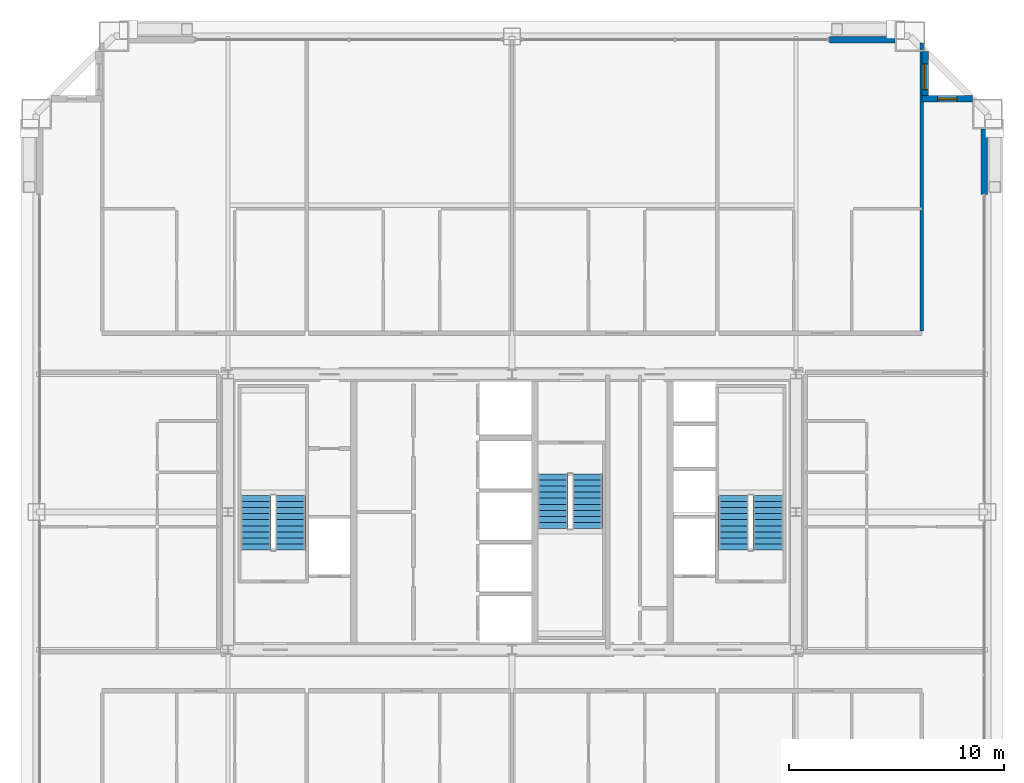
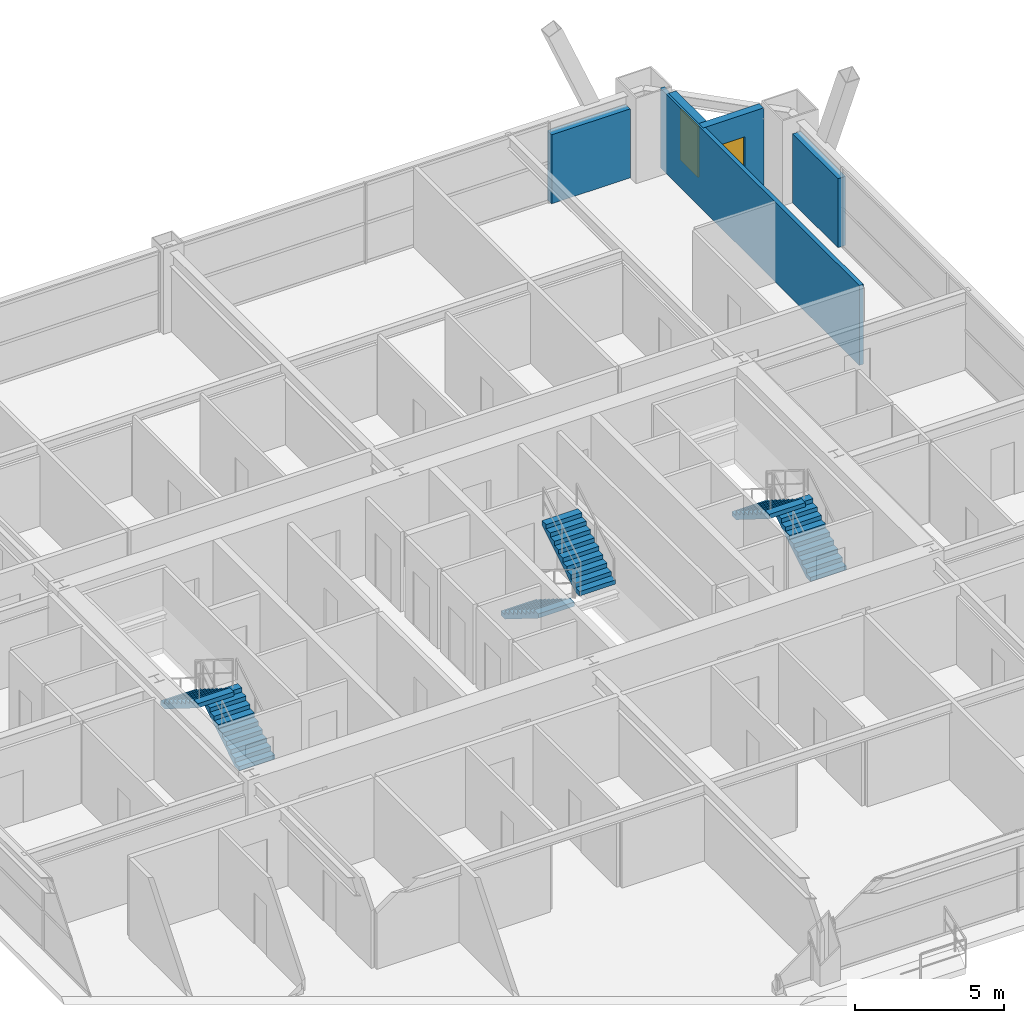
# One storey, part 41 of 42: 6 stair flights, 5 walls, 2 windows, 2 openings, 3 elements without a shape of their own.
"""IFC4 building model written with IfcOpenShell, lengths in metres."""

import ifcopenshell
import ifcopenshell.guid

model = None  # the IFC model being written
_history = None  # IfcOwnerHistory: only IFC2X3 demands one
_inside = {}  # id of a spatial element -> (the spatial element, [elements in it])
_under = {}  # id of a project, library or spatial element -> (it, [spatial elements below it])
_declared = {}  # id of a project -> (the project, [libraries it declares])
_typed = {}  # id of a type object -> (the type object, [elements of that type])
_made_of = {}  # id of a material, layer set ... -> (it, [elements and type objects made of it])


def new_model(schema):
    """Start an empty IFC model of exactly this schema.

    Asked for "IFC4X3", IfcOpenShell would pick the latest addendum, in which some entities
    have other attributes; the version numbers below select the first issue.
    IFC2X3 requires an IfcOwnerHistory on every rooted entity: one is made here for all.
    """
    global model, _history
    if schema == "IFC4X3":
        model = ifcopenshell.file(schema_version=(4, 3, 0, 0))
    else:
        model = ifcopenshell.file(schema=schema)
    _inside.clear()
    _under.clear()
    _declared.clear()
    _typed.clear()
    _made_of.clear()
    _history = None
    if model.schema == "IFC2X3":
        org = make("IfcOrganization", Name="unknown")
        user = make(
            "IfcPersonAndOrganization",
            ThePerson=make("IfcPerson", FamilyName="unknown"),
            TheOrganization=org,
        )
        app = make(
            "IfcApplication",
            ApplicationDeveloper=org,
            Version="unknown",
            ApplicationFullName="unknown",
            ApplicationIdentifier="unknown",
        )
        _history = make(
            "IfcOwnerHistory",
            OwningUser=user,
            OwningApplication=app,
            ChangeAction="ADDED",
            CreationDate=0,
        )
    return model


def make(cls, **values):
    """One entity of the class cls with the attributes given. An attribute that is None is left unset."""
    return model.create_entity(
        cls, **{name: value for name, value in values.items() if value is not None}
    )


def rooted(cls, **values):
    """An entity with a GlobalId (a new one), such as an element, a storey or a relation."""
    return make(cls, GlobalId=ifcopenshell.guid.new(), OwnerHistory=_history, **values)


def si_unit(unit_type, name, prefix=None):
    """IfcSIUnit, for example si_unit("LENGTHUNIT", "METRE", prefix="MILLI")."""
    return make("IfcSIUnit", UnitType=unit_type, Prefix=prefix, Name=name)


def assignment(units):
    """IfcUnitAssignment: the units of a project."""
    return None if units is None else make("IfcUnitAssignment", Units=units)


def point(xyz):
    """IfcCartesianPoint."""
    return None if xyz is None else make("IfcCartesianPoint", Coordinates=xyz)


def direction(xyz):
    """IfcDirection."""
    return None if xyz is None else make("IfcDirection", DirectionRatios=xyz)


def frame(location, z_axis=None, x_axis=None):
    """IfcAxis2Placement3D, a coordinate frame: its origin and axes. An axis left out is left unset."""
    return make(
        "IfcAxis2Placement3D",
        Location=point(location),
        Axis=direction(z_axis),
        RefDirection=direction(x_axis),
    )


def frame_2d(location, x_axis=None):
    """IfcAxis2Placement2D, a coordinate frame in the plane: its origin and x axis."""
    return make(
        "IfcAxis2Placement2D", Location=point(location), RefDirection=direction(x_axis)
    )


def origin():
    """The frame at (0, 0, 0) with its axes left unset."""
    return frame((0.0, 0.0, 0.0))


def place(relative_to, where):
    """IfcLocalPlacement: puts the frame where relative to a parent placement (None: the world)."""
    return make(
        "IfcLocalPlacement", PlacementRelTo=relative_to, RelativePlacement=where
    )


def context(
    kind, dimensions, precision=None, world=None, true_north=None, identifier=None
):
    """IfcGeometricRepresentationContext, for example the 3D "Model" context."""
    return make(
        "IfcGeometricRepresentationContext",
        ContextIdentifier=identifier,
        ContextType=kind,
        CoordinateSpaceDimension=dimensions,
        Precision=precision,
        WorldCoordinateSystem=world,
        TrueNorth=true_north,
    )


def subcontext(parent, identifier, kind, view, scale=None):
    """IfcGeometricRepresentationSubContext, for example "Body" below "Model"."""
    return make(
        "IfcGeometricRepresentationSubContext",
        ContextIdentifier=identifier,
        ContextType=kind,
        ParentContext=parent,
        TargetScale=scale,
        TargetView=view,
    )


def project(units=None, contexts=None):
    """IfcProject with its units and contexts."""
    return rooted(
        "IfcProject",
        Name="project",
        RepresentationContexts=contexts,
        UnitsInContext=assignment(units),
    )


def spatial(cls, under=None, at=None, **own):
    """A site, building, storey or space (cls), placed at a placement, below another one or the project."""
    s = rooted(cls, ObjectPlacement=at, **own)
    if under is not None:
        _under.setdefault(under.id(), (under, []))[1].append(s)
    return s


def polyline(points):
    """IfcPolyline through the points."""
    return make("IfcPolyline", Points=[point(p) for p in points])


def profile(cls, at=None, kind="AREA", **sizes):
    """A parametric profile (cls). Its sizes go by their IFC names, for example OverallWidth=200.0."""
    return make(cls, ProfileType=kind, Position=at, **sizes)


def rectangle(**sizes):
    """IfcRectangleProfileDef."""
    return profile("IfcRectangleProfileDef", **sizes)


def outline(outer, holes=None, kind="AREA"):
    """IfcArbitraryClosedProfileDef: a profile drawn as a closed curve; with holes, ...WithVoids."""
    if holes is None:
        return make("IfcArbitraryClosedProfileDef", ProfileType=kind, OuterCurve=outer)
    return make(
        "IfcArbitraryProfileDefWithVoids",
        ProfileType=kind,
        OuterCurve=outer,
        InnerCurves=holes,
    )


def extrude(swept, where, along, depth):
    """IfcExtrudedAreaSolid: the profile swept, set in the frame where, extruded along a direction by depth."""
    return make(
        "IfcExtrudedAreaSolid",
        SweptArea=swept,
        Position=where,
        ExtrudedDirection=direction(along),
        Depth=depth,
    )


def shape(context_of_items, identifier, shape_type, items):
    """IfcShapeRepresentation: the items that make up one representation, for example the "Body"."""
    return make(
        "IfcShapeRepresentation",
        ContextOfItems=context_of_items,
        RepresentationIdentifier=identifier,
        RepresentationType=shape_type,
        Items=items,
    )


def source(mapping_origin, context_of_items, identifier, shape_type, items):
    """IfcRepresentationMap: a shape defined once, which mapped items show again and again."""
    return make(
        "IfcRepresentationMap",
        MappingOrigin=mapping_origin,
        MappedRepresentation=shape(context_of_items, identifier, shape_type, items),
    )


def transform(
    local_origin,
    x_axis=None,
    y_axis=None,
    z_axis=None,
    scale=None,
    scale2=None,
    scale3=None,
    uniform=True,
):
    """IfcCartesianTransformationOperator3D, or its non-uniform kind. x_axis, y_axis, z_axis: its Axis1, 2, 3."""
    if uniform:
        return make(
            "IfcCartesianTransformationOperator3D",
            Axis1=direction(x_axis),
            Axis2=direction(y_axis),
            LocalOrigin=point(local_origin),
            Scale=scale,
            Axis3=direction(z_axis),
        )
    return make(
        "IfcCartesianTransformationOperator3DnonUniform",
        Axis1=direction(x_axis),
        Axis2=direction(y_axis),
        LocalOrigin=point(local_origin),
        Scale=scale,
        Axis3=direction(z_axis),
        Scale2=scale2,
        Scale3=scale3,
    )


def mapped(mapping_source, mapping_target):
    """IfcMappedItem: shows the shape of a source again, moved by a transform."""
    return make(
        "IfcMappedItem", MappingSource=mapping_source, MappingTarget=mapping_target
    )


def material(Name=None, Category=None):
    """IfcMaterial."""
    return make("IfcMaterial", Name=Name, Category=Category)


def layer(
    of_material, thickness, ventilated=None, Name=None, Category=None, Priority=None
):
    """IfcMaterialLayer: one layer of a wall or slab, of a material (None: an air gap)."""
    return make(
        "IfcMaterialLayer",
        Material=of_material,
        LayerThickness=thickness,
        IsVentilated=ventilated,
        Name=Name,
        Category=Category,
        Priority=Priority,
    )


def layer_set(layers, Name=None):
    """IfcMaterialLayerSet."""
    return make("IfcMaterialLayerSet", MaterialLayers=layers, LayerSetName=Name)


def made_of(thing, what):
    """Note that an element or type object is made of a material, layer set ...; save() writes the relation."""
    if what is not None:
        _made_of.setdefault(what.id(), (what, []))[1].append(thing)
    return thing


def type_object(cls, material=None, **own):
    """A type object (cls), such as IfcWallType, which elements share."""
    return made_of(rooted(cls, **own), material)


def element(
    cls,
    number,
    at=None,
    inside=None,
    cuts=None,
    type_object=None,
    material=None,
    context=None,
    identifier="Body",
    shape_type=None,
    held_by="IfcProductDefinitionShape",
    body=None,
    shapes=None,
    **own,
):
    """One element of the class cls, such as IfcWall. Its Tag is "e" and its number.

    at: its placement. inside: the storey or other place that contains it. cuts: it is an
    opening in that element (IfcRelVoidsElement). A single representation is given by context,
    identifier, shape_type and body (its items); several are given by shapes. held_by: the class
    of the entity that holds the representations. save() writes the other relations.
    """
    e = rooted(cls, Tag="e%d" % number, ObjectPlacement=at, **own)
    if body is not None:
        shapes = [shape(context, identifier, shape_type, body)]
    if shapes is not None:
        e.Representation = make(held_by, Representations=shapes)
    if inside is not None:
        _inside.setdefault(inside.id(), (inside, []))[1].append(e)
    if cuts is not None:
        rooted(
            "IfcRelVoidsElement", RelatingBuildingElement=cuts, RelatedOpeningElement=e
        )
    if type_object is not None:
        _typed.setdefault(type_object.id(), (type_object, []))[1].append(e)
    return made_of(e, material)


def fill(opening, filler):
    """IfcRelFillsElement: the door or window that sits in an opening."""
    return rooted(
        "IfcRelFillsElement",
        RelatingOpeningElement=opening,
        RelatedBuildingElement=filler,
    )


def aggregate(whole, parts):
    """IfcRelAggregates: a whole, such as a stair, and the parts it consists of."""
    return rooted("IfcRelAggregates", RelatingObject=whole, RelatedObjects=parts)


def save(model, path):
    """Write the relations noted so far, then the file.

    IfcRelAggregates (storeys below a building ...), IfcRelContainedInSpatialStructure (elements
    in a storey), IfcRelDefinesByType, IfcRelAssociatesMaterial and IfcRelDeclares: one each for
    every whole, place, type object, material and project.
    """
    for whole, parts in _under.values():
        aggregate(whole, parts)
    for where, things in _inside.values():
        rooted(
            "IfcRelContainedInSpatialStructure",
            RelatedElements=things,
            RelatingStructure=where,
        )
    for kind, things in _typed.values():
        rooted("IfcRelDefinesByType", RelatedObjects=things, RelatingType=kind)
    for what, things in _made_of.values():
        rooted("IfcRelAssociatesMaterial", RelatedObjects=things, RelatingMaterial=what)
    for by, libraries in _declared.values():
        rooted("IfcRelDeclares", RelatingContext=by, RelatedDefinitions=libraries)
    model.write(path)


model = new_model("IFC4")

# Units and contexts
model_context = context("Model", 3, precision=1e-05, world=origin(), true_north=direction((0.0, 1.0)))
body_context = subcontext(model_context, "Body", "Model", "MODEL_VIEW")
ifc_project = project(units=[si_unit("LENGTHUNIT", "METRE"), si_unit("AREAUNIT", "SQUARE_METRE"), si_unit("VOLUMEUNIT", "CUBIC_METRE"), si_unit("PLANEANGLEUNIT", "RADIAN"), si_unit("MASSUNIT", "GRAM", prefix="KILO"), si_unit("THERMODYNAMICTEMPERATUREUNIT", "KELVIN"), si_unit("POWERUNIT", "WATT")], contexts=[model_context])

# Site, building, storey
site_placement = place(None, origin())
site = spatial("IfcSite", under=ifc_project, at=site_placement, CompositionType="ELEMENT")
building_placement = place(site_placement, origin())
building = spatial("IfcBuilding", under=site, at=building_placement, Name="Yuzanri Waterfront Tower", CompositionType="ELEMENT")
storey_placement = place(building_placement, frame((0.0, 0.0, 184.5)))
storey = spatial("IfcBuildingStorey", under=building, at=storey_placement, Name="L48", CompositionType="ELEMENT", Elevation=184.5)

# Wall, opening, window
ifc_material_1 = material(Name="Honed Chongqing Dark Basalt Stone", Category="masonry")
ifc_layer_1 = layer(ifc_material_1, 0.300048828125)
ifc_layer_set_1 = layer_set([ifc_layer_1], Name="Honed Chongqing Dark Basalt Stone")
wall_type_1 = type_object("IfcWallType", Name="Bronze Rainscreen Insulated Spandrel Portal Wall 300", PredefinedType="SOLIDWALL", material=ifc_layer_set_1)
wall_1_placement = place(storey_placement, frame((58.39990234375, 45.0, 0.0), z_axis=(0.0, 0.0, 1.0), x_axis=(-1.0, 0.0, 0.0)))
wall_1 = element("IfcWall", 1, at=wall_1_placement, inside=storey, type_object=wall_type_1, Name="L48 Notched Corner Masonry Wall NE-X", PredefinedType="SOLIDWALL", context=body_context, shape_type="SweptSolid", body=[
    extrude(rectangle(XDim=2.349853515625, YDim=0.300048828125, at=frame_2d((1.1748046875, 0.0))), origin(), (0.0, 0.0, 1.0), 3.280029296875),
])
opening_1_placement = place(wall_1_placement, frame((0.72509765625, 0.0, 0.85009765625)))
opening_1 = element("IfcOpeningElement", 2, at=opening_1_placement, cuts=wall_1, Name="Opening WN-05", PredefinedType="OPENING", context=body_context, shape_type="SweptSolid", body=[
    extrude(rectangle(XDim=0.89990234375, YDim=1.5, at=frame_2d((0.449951171875, 0.75))), frame((0.0, 0.1650390625, 0.0), z_axis=(0.0, -1.0, 0.0), x_axis=(1.0, 0.0, 0.0)), (0.0, 0.0, 1.0), 0.329833984375),
])
ifc_material_2 = material(Name="Double-Silver Low-E Insulated Glass", Category="glass")
window_type_1 = type_object("IfcWindowType", Name="Anodized Bronze Service and Stairwell Smoke-Vent Window 900x1500", PartitioningType="SINGLE_PANEL", PredefinedType="WINDOW", material=ifc_material_2)
shared_shape_1 = source(origin(), body_context, "Body", "SweptSolid", [
    extrude(rectangle(XDim=0.89990234375, YDim=1.5, at=frame_2d((0.449951171875, 0.75))), frame((0.0, 0.030029296875, 0.0), z_axis=(0.0, -1.0, 0.0), x_axis=(1.0, 0.0, 0.0)), (0.0, 0.0, 1.0), 0.06005859375),
])
window_1_placement = place(opening_1_placement, origin())
window_1 = element("IfcWindow", 3, at=window_1_placement, inside=storey, type_object=window_type_1, Name="L48 Notched Corner Window NE-X", OverallHeight=1.5, OverallWidth=0.89990234375, PartitioningType="SINGLE_PANEL", PredefinedType="WINDOW", context=body_context, shape_type="MappedRepresentation", body=[
    mapped(shared_shape_1, transform((0.0, 0.0, 0.0), scale=1.0)),
])
fill(opening_1, window_1)

wall_2_placement = place(storey_placement, frame((56.199951171875, 44.85009765625, 0.0), z_axis=(0.0, 0.0, 1.0), x_axis=(0.0, 1.0, 0.0)))
wall_2 = element("IfcWall", 4, at=wall_2_placement, inside=storey, type_object=wall_type_1, Name="L48 Notched Corner Masonry Wall NE-Y", PredefinedType="SOLIDWALL", context=body_context, shape_type="SweptSolid", body=[
    extrude(rectangle(XDim=2.349853515625, YDim=0.300048828125, at=frame_2d((1.1748046875, 0.0))), origin(), (0.0, 0.0, 1.0), 3.280029296875),
])
opening_2_placement = place(wall_2_placement, frame((0.574951171875, 0.0, 0.85009765625)))
opening_2 = element("IfcOpeningElement", 5, at=opening_2_placement, cuts=wall_2, Name="Opening WN-02", PredefinedType="OPENING", context=body_context, shape_type="SweptSolid", body=[
    extrude(rectangle(XDim=1.199951171875, YDim=2.10009765625, at=frame_2d((0.60009765625, 1.050048828125))), frame((0.0, 0.1650390625, 0.0), z_axis=(0.0, -1.0, 0.0), x_axis=(1.0, 0.0, 0.0)), (0.0, 0.0, 1.0), 0.329833984375),
])
ifc_material_3 = material(Name="Double-Silver Low-E Insulated Glass", Category="glass")
window_type_2 = type_object("IfcWindowType", Name="Anodized Bronze Notched Corner Deep-Set Slot Window 1200x2100", PartitioningType="SINGLE_PANEL", PredefinedType="WINDOW", material=ifc_material_3)
shared_shape_2 = source(origin(), body_context, "Body", "SweptSolid", [
    extrude(rectangle(XDim=1.199951171875, YDim=2.10009765625, at=frame_2d((0.60009765625, 1.050048828125))), frame((0.0, 0.030029296875, 0.0), z_axis=(0.0, -1.0, 0.0), x_axis=(1.0, 0.0, 0.0)), (0.0, 0.0, 1.0), 0.06005859375),
])
window_2_placement = place(opening_2_placement, origin())
window_2 = element("IfcWindow", 6, at=window_2_placement, inside=storey, type_object=window_type_2, Name="L48 Notched Corner Window NE-Y", OverallHeight=2.10009765625, OverallWidth=1.199951171875, PartitioningType="SINGLE_PANEL", PredefinedType="WINDOW", context=body_context, shape_type="MappedRepresentation", body=[
    mapped(shared_shape_2, transform((0.0, 0.0, 0.0), scale=1.0)),
])
fill(opening_2, window_2)

# Walls
shared_shape_3 = source(origin(), body_context, "Body", "SweptSolid", [
    extrude(rectangle(XDim=3.050048828125, YDim=0.300048828125, at=frame_2d((1.52490234375, 0.0))), origin(), (0.0, 0.0, 1.0), 2.8349609375),
])
for number, where, z_axis, x_axis, name in (
    (7, (51.75, 47.75, 0.0), (0.0, 0.0, 1.0), (1.0, 0.0, 0.0), "L48 N Right Braced Masonry Shoulder"),
    (8, (58.949951171875, 40.550048828125, 0.0), (0.0, 0.0, 1.0), (0.0, 1.0, 0.0), "L48 E Right Braced Masonry Shoulder"),
):
    element("IfcWall", number, at=place(storey_placement, frame(where, z_axis=z_axis, x_axis=x_axis)), inside=storey, type_object=wall_type_1, Name=name, PredefinedType="SOLIDWALL", context=body_context, shape_type="MappedRepresentation", body=[
        mapped(shared_shape_3, transform((0.0, 0.0, 0.0), scale=1.0)),
    ])
ifc_material_4 = material(Name="Gypsum Fireboard Acoustic Stud Wall", Category="gypsum")
ifc_layer_2 = layer(ifc_material_4, 0.159912109375)
ifc_layer_set_2 = layer_set([ifc_layer_2], Name="Gypsum Fireboard Acoustic Stud Wall")
wall_type_2 = type_object("IfcWallType", Name="Acoustic Suite Demising Partition 160", PredefinedType="PARTITIONING", material=ifc_layer_set_2)
shared_shape_4 = source(origin(), body_context, "Body", "SweptSolid", [
    extrude(rectangle(XDim=13.39013671875, YDim=0.159912109375, at=frame_2d((6.695068359375, 0.0))), origin(), (0.0, 0.0, 1.0), 3.280029296875),
])
wall_3_placement = place(storey_placement, frame((56.050048828125, 34.2099609375, 0.0), z_axis=(0.0, 0.0, 1.0), x_axis=(0.0, 1.0, 0.0)))
element("IfcWall", 9, at=wall_3_placement, inside=storey, type_object=wall_type_2, Name="L48 North Band East End Wall", PredefinedType="PARTITIONING", context=body_context, shape_type="MappedRepresentation", body=[
    mapped(shared_shape_4, transform((0.0, 0.0, 0.0), scale=1.0)),
])

# Stair, stair flights
ifc_material_5 = material(Name="Concrete C40", Category="concrete")
stair_type = type_object("IfcStairType", Name="Concrete C40 Core Dogleg Exit Stair", PredefinedType="HALF_TURN_STAIR", material=ifc_material_5)
stair_1_placement = place(storey_placement, origin())
stair_1 = element("IfcStair", 10, at=stair_1_placement, inside=storey, type_object=stair_type, Name="L48 Smoke-Proof Core Stair ST-01", PredefinedType="HALF_TURN_STAIR")
ifc_material_6 = material(Name="Concrete C40", Category="concrete")
stair_flight_type = type_object("IfcStairFlightType", Name="Concrete C40 Precast Stair Flight 1380", PredefinedType="STRAIGHT", material=ifc_material_6)
shared_shape_5 = source(origin(), body_context, "Body", "SweptSolid", [
    extrude(outline(polyline([(0.0, 0.0), (0.0, 0.175048828125), (0.280029296875, 0.175048828125), (0.280029296875, 0.35009765625), (0.56005859375, 0.35009765625), (0.56005859375, 0.52490234375), (0.840087890625, 0.52490234375), (0.840087890625, 0.699951171875), (1.1201171875, 0.699951171875), (1.1201171875, 0.875), (1.39990234375, 0.875), (1.39990234375, 1.050048828125), (1.679931640625, 1.050048828125), (1.679931640625, 1.22509765625), (1.9599609375, 1.22509765625), (1.9599609375, 1.39990234375), (2.239990234375, 1.39990234375), (2.239990234375, 1.574951171875), (2.52001953125, 1.574951171875), (2.52001953125, 1.75), (2.52001953125, 1.398193359375), (0.28271484375, 0.0), (0.0, 0.0)])), frame((0.0, 0.699951171875, 0.0), z_axis=(0.0, -1.0, 0.0), x_axis=(1.0, 0.0, 0.0)), (0.0, 0.0, 1.0), 1.39990234375),
])
stair_flight_1_placement = place(storey_placement, frame((26.699951171875, 24.0400390625, 0.0), z_axis=(0.0, 0.0, 1.0), x_axis=(0.0, 1.0, 0.0)))
stair_flight_1 = element("IfcStairFlight", 11, at=stair_flight_1_placement, type_object=stair_flight_type, Name="ST-01 flight 1", NumberOfRisers=10, NumberOfTreads=9, PredefinedType="STRAIGHT", RiserHeight=0.175, TreadLength=0.28, context=body_context, shape_type="MappedRepresentation", body=[
    mapped(shared_shape_5, transform((0.0, 0.0, 0.0), scale=1.0)),
])
stair_flight_2_placement = place(storey_placement, frame((25.10009765625, 26.56005859375, 1.75), z_axis=(0.0, 0.0, 1.0), x_axis=(0.0, -1.0, 0.0)))
stair_flight_2 = element("IfcStairFlight", 12, at=stair_flight_2_placement, type_object=stair_flight_type, Name="ST-01 flight 2", NumberOfRisers=10, NumberOfTreads=9, PredefinedType="STRAIGHT", RiserHeight=0.175, TreadLength=0.28, context=body_context, shape_type="MappedRepresentation", body=[
    mapped(shared_shape_5, transform((0.0, 0.0, 0.0), scale=1.0)),
])
aggregate(stair_1, [stair_flight_1, stair_flight_2])

stair_2_placement = place(storey_placement, origin())
stair_2 = element("IfcStair", 13, at=stair_2_placement, inside=storey, type_object=stair_type, Name="L48 Smoke-Proof Core Stair ST-02", PredefinedType="HALF_TURN_STAIR")
stair_flight_3_placement = place(storey_placement, frame((48.89990234375, 24.0400390625, 0.0), z_axis=(0.0, 0.0, 1.0), x_axis=(0.0, 1.0, 0.0)))
stair_flight_3 = element("IfcStairFlight", 14, at=stair_flight_3_placement, type_object=stair_flight_type, Name="ST-02 flight 1", NumberOfRisers=10, NumberOfTreads=9, PredefinedType="STRAIGHT", RiserHeight=0.175, TreadLength=0.28, context=body_context, shape_type="MappedRepresentation", body=[
    mapped(shared_shape_5, transform((0.0, 0.0, 0.0), scale=1.0)),
])
stair_flight_4_placement = place(storey_placement, frame((47.300048828125, 26.56005859375, 1.75), z_axis=(0.0, 0.0, 1.0), x_axis=(0.0, -1.0, 0.0)))
stair_flight_4 = element("IfcStairFlight", 15, at=stair_flight_4_placement, type_object=stair_flight_type, Name="ST-02 flight 2", NumberOfRisers=10, NumberOfTreads=9, PredefinedType="STRAIGHT", RiserHeight=0.175, TreadLength=0.28, context=body_context, shape_type="MappedRepresentation", body=[
    mapped(shared_shape_5, transform((0.0, 0.0, 0.0), scale=1.0)),
])
aggregate(stair_2, [stair_flight_3, stair_flight_4])

stair_3_placement = place(storey_placement, origin())
stair_3 = element("IfcStair", 16, at=stair_3_placement, inside=storey, type_object=stair_type, Name="L48 Smoke-Proof Core Stair ST-03", PredefinedType="HALF_TURN_STAIR")
stair_flight_5_placement = place(storey_placement, frame((38.89990234375, 27.56005859375, 0.0), z_axis=(0.0, 0.0, 1.0), x_axis=(0.0, -1.0, 0.0)))
stair_flight_5 = element("IfcStairFlight", 17, at=stair_flight_5_placement, type_object=stair_flight_type, Name="ST-03 flight 1", NumberOfRisers=10, NumberOfTreads=9, PredefinedType="STRAIGHT", RiserHeight=0.175, TreadLength=0.28, context=body_context, shape_type="MappedRepresentation", body=[
    mapped(shared_shape_5, transform((0.0, 0.0, 0.0), scale=1.0)),
])
stair_flight_6_placement = place(storey_placement, frame((40.5, 25.0400390625, 1.75), z_axis=(0.0, 0.0, 1.0), x_axis=(0.0, 1.0, 0.0)))
stair_flight_6 = element("IfcStairFlight", 18, at=stair_flight_6_placement, type_object=stair_flight_type, Name="ST-03 flight 2", NumberOfRisers=10, NumberOfTreads=9, PredefinedType="STRAIGHT", RiserHeight=0.175, TreadLength=0.28, context=body_context, shape_type="MappedRepresentation", body=[
    mapped(shared_shape_5, transform((0.0, 0.0, 0.0), scale=1.0)),
])
aggregate(stair_3, [stair_flight_5, stair_flight_6])

save(model, "model.ifc")
